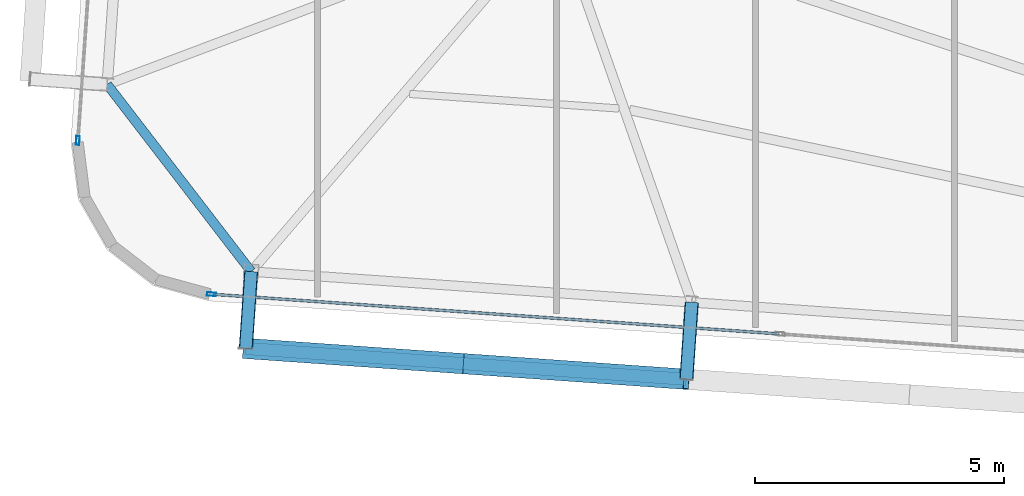
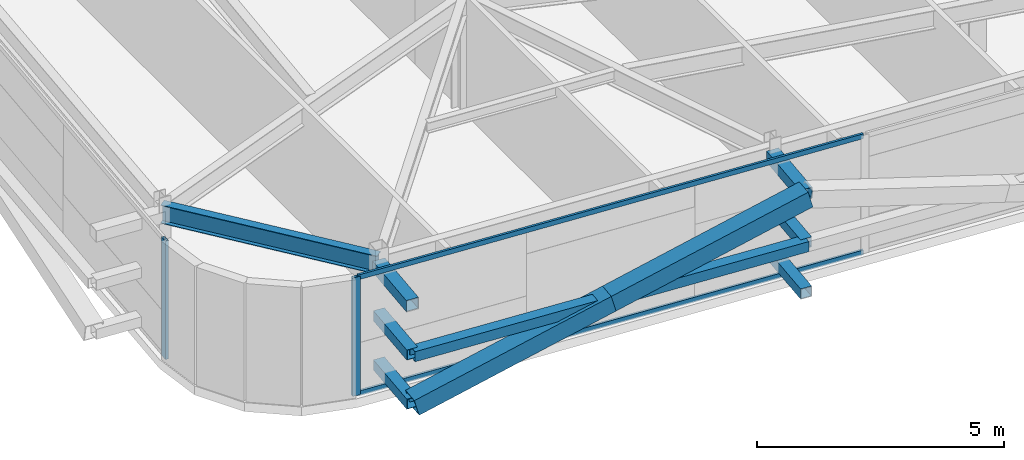
# One storey, part 6 of 39: 13 members, 1 beam, 2 elements without a shape of their own.
"""IFC4 building model written with IfcOpenShell, lengths in metres."""

from ifc_helpers import new_model, si_unit, direction, frame, origin, origin_2d, place, context, subcontext, project, spatial, hollow_rectangle, i_section, extrude, source, transform, mapped, material, layer, layer_set, material_profile, profile_set, type_object, element, aggregate, save


model = new_model("IFC4")

# Units and contexts
model_context = context("Model", 3, precision=1e-05, world=origin(), true_north=direction((0.0, 1.0)))
body_context = subcontext(model_context, "Body", "Model", "MODEL_VIEW")
ifc_project = project(units=[si_unit("LENGTHUNIT", "METRE"), si_unit("AREAUNIT", "SQUARE_METRE"), si_unit("VOLUMEUNIT", "CUBIC_METRE"), si_unit("PLANEANGLEUNIT", "RADIAN"), si_unit("MASSUNIT", "GRAM", prefix="KILO")], contexts=[model_context])

# Site, building, storey
site_placement = place(None, origin())
site = spatial("IfcSite", under=ifc_project, at=site_placement, CompositionType="ELEMENT")
building_placement = place(site_placement, origin())
building = spatial("IfcBuilding", under=site, at=building_placement, Name="Taldren Reach Tower", CompositionType="ELEMENT")
storey_placement = place(building_placement, frame((0.0, 0.0, 158.199951171875)))
storey = spatial("IfcBuildingStorey", under=building, at=storey_placement, Name="L48", CompositionType="ELEMENT", Elevation=158.199951171875)

# Members
ifc_material_1 = material(Name="Steel Gr 450 (C450L0)", Category="steel")
ifc_material_profile_1 = material_profile(ifc_material_1, hollow_rectangle(XDim=0.27490234375, YDim=0.27490234375, WallThickness=0.00927734375, at=origin_2d()), Name="275x275x9.3SHS")
ifc_profile_set_1 = profile_set([ifc_material_profile_1], Name="Steel Gr 450 (C450L0)")
member_type_1 = type_object("IfcMemberType", Name="MB-TIE273", PredefinedType="STRUT", material=ifc_profile_set_1)
shared_shape_1 = source(origin(), body_context, "Body", "SweptSolid", [
    extrude(hollow_rectangle(XDim=0.27490234375, YDim=0.27490234375, WallThickness=0.00927734375, at=origin_2d()), origin(), (0.0, 0.0, 1.0), 1.5498046875),
])
for number, where, z_axis, x_axis, name in (
    (1, (11.863525390625, 5.33837890625, 2.650146484375), (-0.069780535098, -0.997562367434, 0.0), (0.997562367434, -0.069780535098, 0.0), "Exoskeleton diaphragm tie strut B3-S1 L48"),
    (2, (20.721923828125, 4.718994140625, 2.650146484375), (-0.069780535098, -0.997562367434, 0.0), (0.997562367434, -0.069780535098, 0.0), "Exoskeleton diaphragm tie strut B3-S2 L48"),
):
    element("IfcMember", number, at=place(storey_placement, frame(where, z_axis=z_axis, x_axis=x_axis)), inside=storey, type_object=member_type_1, Name=name, PredefinedType="STRUT", context=body_context, shape_type="MappedRepresentation", body=[
        mapped(shared_shape_1, transform((0.0, 0.0, 0.0), scale=1.0)),
    ])
ifc_material_2 = material(Name="Steel Gr 350 (C350L0)", Category="steel")
ifc_material_profile_2 = material_profile(ifc_material_2, hollow_rectangle(XDim=0.25, YDim=0.25, WallThickness=0.010009765625, at=origin_2d()), Name="250x250x10.0SHS")
ifc_profile_set_2 = profile_set([ifc_material_profile_2], Name="Steel Gr 350 (C350L0)")
member_type_2 = type_object("IfcMemberType", Name="MB-POST250", PredefinedType="POST", material=ifc_profile_set_2)
shared_shape_2 = source(origin(), body_context, "Body", "SweptSolid", [
    extrude(hollow_rectangle(XDim=0.25, YDim=0.25, WallThickness=0.010009765625, at=origin_2d()), origin(), (0.0, 0.0, 1.0), 1.5498046875),
])
for number, where, z_axis, x_axis, name in (
    (3, (11.863525390625, 5.33837890625, 0.219970703125), (-0.069780535098, -0.997562367434, 0.0), (0.997562367434, -0.069780535098, 0.0), "Exoskeleton base diaphragm tie strut B3-S1 L48"),
    (4, (20.721923828125, 4.718994140625, 0.219970703125), (-0.069780535098, -0.997562367434, 0.0), (0.997562367434, -0.069780535098, 0.0), "Exoskeleton base diaphragm tie strut B3-S2 L48"),
    (5, (11.863525390625, 5.33837890625, 1.43505859375), (-0.069780535098, -0.997562367434, 0.0), (0.997562367434, -0.069780535098, 0.0), "Exoskeleton mid-tier diaphragm tie B3-S1 L48"),
    (6, (20.721923828125, 4.718994140625, 1.43505859375), (-0.069780535098, -0.997562367434, 0.0), (0.997562367434, -0.069780535098, 0.0), "Exoskeleton mid-tier diaphragm tie B3-S2 L48"),
):
    element("IfcMember", number, at=place(storey_placement, frame(where, z_axis=z_axis, x_axis=x_axis)), inside=storey, type_object=member_type_2, Name=name, PredefinedType="POST", context=body_context, shape_type="MappedRepresentation", body=[
        mapped(shared_shape_2, transform((0.0, 0.0, 0.0), scale=1.0)),
    ])

# Beam
ifc_material_3 = material(Name="Steel Gr 350 (350PLUS)", Category="steel")
ifc_material_profile_3 = material_profile(ifc_material_3, i_section(OverallWidth=0.18994140625, OverallDepth=0.4541015625, WebThickness=0.008544921875, FlangeThickness=0.0126953125, at=origin_2d()), Name="460UB67.1")
ifc_profile_set_3 = profile_set([ifc_material_profile_3], Name="Steel Gr 350 (350PLUS)")
beam_type = type_object("IfcBeamType", Name="SP-UB460B", PredefinedType="SPANDREL", material=ifc_profile_set_3)
shared_shape_3 = source(origin(), body_context, "Body", "SweptSolid", [
    extrude(i_section(OverallWidth=0.18994140625, OverallDepth=0.4541015625, WebThickness=0.008544921875, FlangeThickness=0.0126953125, at=origin_2d()), origin(), (0.0, 0.0, 1.0), 4.746337890625),
])
beam_placement = place(storey_placement, frame((8.96875, 9.099609375, 2.703125), z_axis=(0.609912099004, -0.792469072891, 0.0), x_axis=(0.792469072891, 0.609912099004, 0.0)))
element("IfcBeam", 7, at=beam_placement, inside=storey, type_object=beam_type, Name="Perimeter spandrel B3 W1-S1 L48", PredefinedType="SPANDREL", context=body_context, shape_type="MappedRepresentation", body=[
    mapped(shared_shape_3, transform((0.0, 0.0, 0.0), scale=1.0)),
])

# Members
shared_shape_4 = source(origin(), body_context, "Body", "SweptSolid", [
    extrude(hollow_rectangle(XDim=0.25, YDim=0.25, WallThickness=0.010009765625, at=origin_2d()), origin(), (0.0, 0.0, 1.0), 8.880126953125),
])
member_1_placement = place(storey_placement, frame((11.75537109375, 3.792236328125, 1.43505859375), z_axis=(0.997564479639, -0.069750333063, 0.0), x_axis=(0.069750333063, 0.997564479639, 0.0)))
element("IfcMember", 8, at=member_1_placement, inside=storey, type_object=member_type_2, Name="Exoskeleton mid-height ring chord B3-S1 L48", PredefinedType="POST", context=body_context, shape_type="MappedRepresentation", body=[
    mapped(shared_shape_4, transform((0.0, 0.0, 0.0), scale=1.0)),
])
ifc_material_profile_4 = material_profile(ifc_material_1, hollow_rectangle(XDim=0.409912109375, YDim=0.409912109375, WallThickness=0.01611328125, at=origin_2d()), Name="410x410x16.0SHS")
ifc_profile_set_4 = profile_set([ifc_material_profile_4], Name="Steel Gr 450 (C450L0)")
member_type_3 = type_object("IfcMemberType", Name="MB-EXO406", PredefinedType="BRACE", material=ifc_profile_set_4)
shared_shape_5 = source(origin(), body_context, "Body", "SweptSolid", [
    extrude(hollow_rectangle(XDim=0.409912109375, YDim=0.409912109375, WallThickness=0.01611328125, at=origin_2d()), origin(), (0.0, 0.0, 1.0), 4.603271484375),
])
for number, where, z_axis, x_axis, name in (
    (9, (11.75537109375, 3.792236328125, 0.219970703125), (0.962182351074, -0.067302910567, 0.263961060594), (0.06977769246, 0.997562566276, 0.0), "Exoskeleton Diagrid Brace B3-S1 L48"),
    (10, (16.1845703125, 3.482421875, 1.43505859375), (0.962185784239, -0.067250114343, 0.263962002434), (0.069722973508, 0.997566392259, 0.0), "Exoskeleton Diagrid Brace B3-S1 L48"),
):
    element("IfcMember", number, at=place(storey_placement, frame(where, z_axis=z_axis, x_axis=x_axis)), inside=storey, type_object=member_type_3, Name=name, PredefinedType="BRACE", context=body_context, shape_type="MappedRepresentation", body=[
        mapped(shared_shape_5, transform((0.0, 0.0, 0.0), scale=1.0)),
    ])

# Curtain wall, members
ifc_material_4 = material(Name="Aluminium and Low-E Glass Unitised System", Category="aluminium")
ifc_layer = layer(ifc_material_4, 0.159912109375)
ifc_layer_set = layer_set([ifc_layer], Name="Aluminium and Low-E Glass Unitised System")
curtain_wall_type = type_object("IfcCurtainWallType", Name="CW-SYS-4", PredefinedType="NOTDEFINED", material=ifc_layer_set)
curtain_wall_1_placement = place(storey_placement, origin())
curtain_wall_1 = element("IfcCurtainWall", 11, at=curtain_wall_1_placement, inside=storey, type_object=curtain_wall_type, Name="Unitised curtain wall CW-L48-S", PredefinedType="NOTDEFINED")
ifc_material_5 = material(Name="Anodised Aluminium 6063-T6", Category="aluminium")
ifc_material_profile_5 = material_profile(ifc_material_5, hollow_rectangle(XDim=0.054931640625, YDim=0.1201171875, WallThickness=0.0029296875, at=origin_2d()), Name="ALU-120x55x3RHS")
ifc_profile_set_5 = profile_set([ifc_material_profile_5], Name="Anodised Aluminium 6063-T6")
member_type_4 = type_object("IfcMemberType", Name="CW-TRN-135", PredefinedType="USERDEFINED", material=ifc_profile_set_5)
shared_shape_6 = source(origin(), body_context, "Body", "SweptSolid", [
    extrude(hollow_rectangle(XDim=0.054931640625, YDim=0.1201171875, WallThickness=0.0029296875, at=origin_2d()), origin(), (0.0, 0.0, 1.0), 11.39501953125),
])
member_2_placement = place(storey_placement, frame((11.099853515625, 4.880615234375, 0.027587890625), z_axis=(0.997563740682, -0.069760900766, 0.0), x_axis=(0.069760900766, 0.997563740682, 0.0)))
member_2 = element("IfcMember", 12, at=member_2_placement, type_object=member_type_4, Name="CW-4 transom 1.1", ObjectType="TRANSOM", PredefinedType="USERDEFINED", context=body_context, shape_type="MappedRepresentation", body=[
    mapped(shared_shape_6, transform((0.0, 0.0, 0.0), scale=1.0)),
])
member_3_placement = place(storey_placement, frame((11.099853515625, 4.880615234375, 2.902587890625), z_axis=(0.997563740682, -0.069760900766, 0.0), x_axis=(0.069760900766, 0.997563740682, 0.0)))
member_3 = element("IfcMember", 13, at=member_3_placement, type_object=member_type_4, Name="CW-4 transom 1.2", ObjectType="TRANSOM", PredefinedType="USERDEFINED", context=body_context, shape_type="MappedRepresentation", body=[
    mapped(shared_shape_6, transform((0.0, 0.0, 0.0), scale=1.0)),
])
ifc_material_profile_6 = material_profile(ifc_material_5, hollow_rectangle(XDim=0.070068359375, YDim=0.179931640625, WallThickness=0.00390625, at=origin_2d()), Name="ALU-180x70x4RHS")
ifc_profile_set_6 = profile_set([ifc_material_profile_6], Name="Anodised Aluminium 6063-T6")
member_type_5 = type_object("IfcMemberType", Name="CW-MUL-180", PredefinedType="MULLION", material=ifc_profile_set_6)
shared_shape_7 = source(origin(), body_context, "Body", "SweptSolid", [
    extrude(hollow_rectangle(XDim=0.070068359375, YDim=0.179931640625, WallThickness=0.00390625, at=origin_2d()), origin(), (0.0, 0.0, 1.0), 2.929931640625),
])
member_4_placement = place(storey_placement, frame((11.06494140625, 4.883056640625, 0.0), z_axis=(0.0, 0.0, 1.0), x_axis=(0.06975651593, 0.99756404731, 0.0)))
member_4 = element("IfcMember", 14, at=member_4_placement, type_object=member_type_5, Name="CW-4 mullion 1", PredefinedType="MULLION", context=body_context, shape_type="MappedRepresentation", body=[
    mapped(shared_shape_7, transform((0.0, 0.0, 0.0), scale=1.0)),
])
aggregate(curtain_wall_1, [member_4, member_2, member_3])

# Curtain wall, member
curtain_wall_2_placement = place(storey_placement, origin())
curtain_wall_2 = element("IfcCurtainWall", 15, at=curtain_wall_2_placement, inside=storey, type_object=curtain_wall_type, Name="Unitised curtain wall CW-L48-W", PredefinedType="NOTDEFINED")
member_5_placement = place(storey_placement, frame((8.37890625, 7.972900390625, 0.0), z_axis=(0.0, 0.0, 1.0), x_axis=(0.997564052812, -0.069756437251, 0.0)))
member_5 = element("IfcMember", 16, at=member_5_placement, type_object=member_type_5, Name="CW-4 mullion 3", PredefinedType="MULLION", context=body_context, shape_type="MappedRepresentation", body=[
    mapped(shared_shape_7, transform((0.0, 0.0, 0.0), scale=1.0)),
])
aggregate(curtain_wall_2, [member_5])

save(model, "model.ifc")
